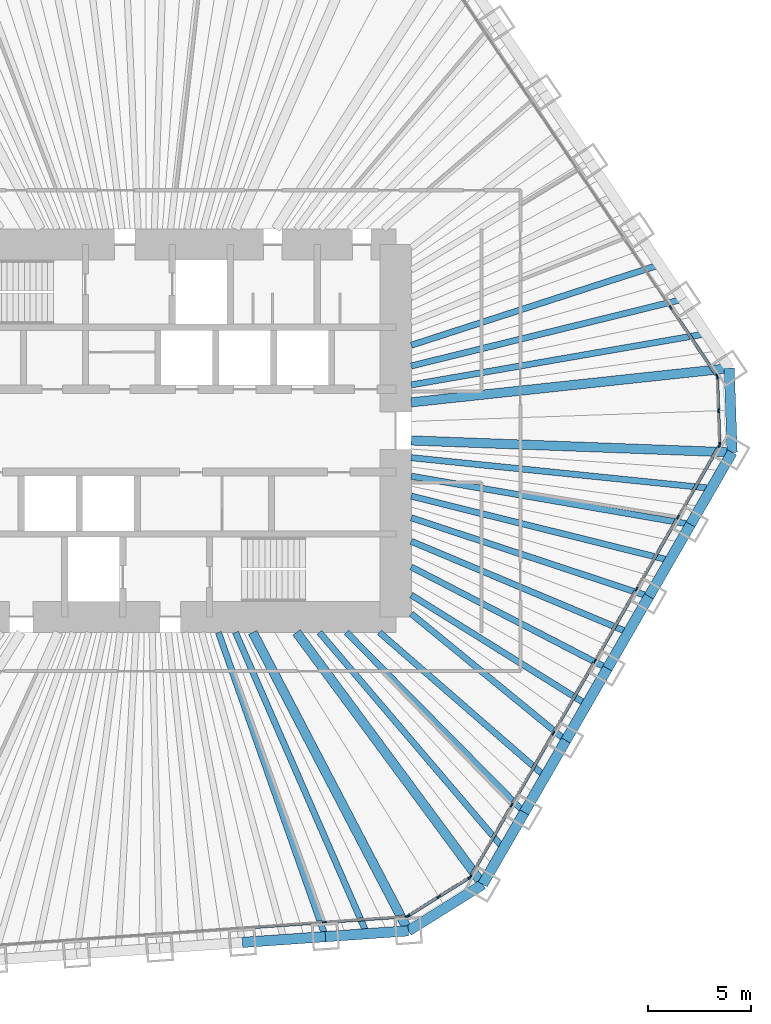
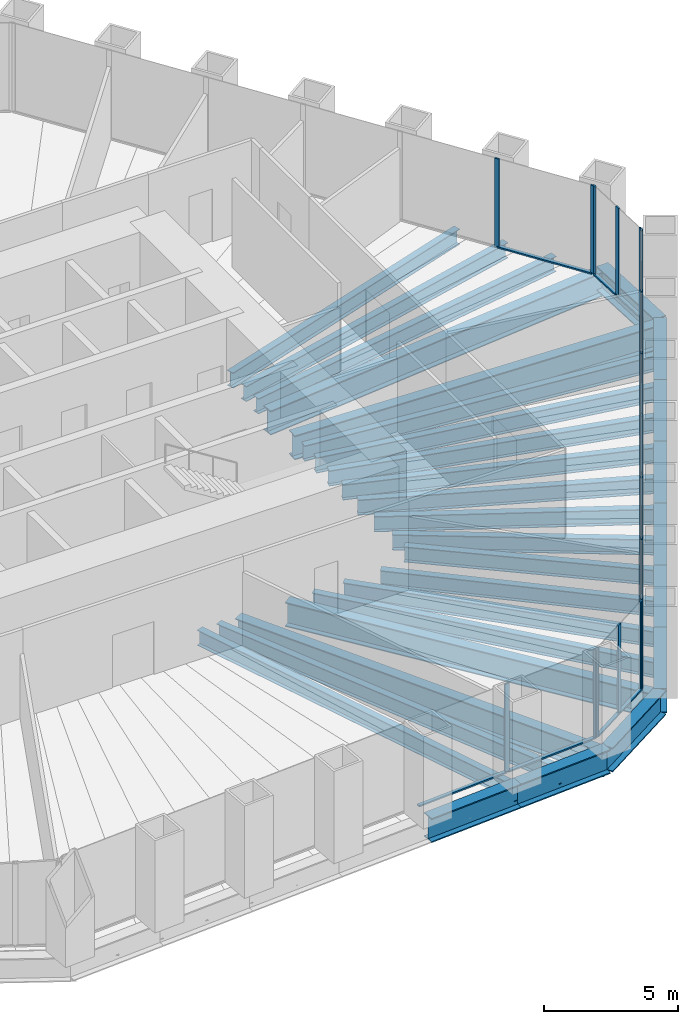
# One storey, part 4 of 13: 30 beams, 30 members, 5 elements without a shape of their own.
"""IFC4 building model written with IfcOpenShell, lengths in metres."""

from ifc_helpers import new_model, si_unit, direction, frame, origin, origin_2d, place, context, subcontext, project, spatial, rectangle, i_section, extrude, material, material_profile, profile_set, type_object, element, aggregate, save


model = new_model("IFC4")

# Units and contexts
model_context = context("Model", 3, precision=1e-05, world=origin(), true_north=direction((0.0, 1.0)))
body_context = subcontext(model_context, "Body", "Model", "MODEL_VIEW")
ifc_project = project(units=[si_unit("LENGTHUNIT", "METRE"), si_unit("AREAUNIT", "SQUARE_METRE"), si_unit("VOLUMEUNIT", "CUBIC_METRE"), si_unit("PLANEANGLEUNIT", "RADIAN"), si_unit("MASSUNIT", "GRAM", prefix="KILO")], contexts=[model_context])

# Site, building, storey
site_placement = place(None, origin())
site = spatial("IfcSite", under=ifc_project, at=site_placement, CompositionType="ELEMENT")
building_placement = place(site_placement, origin())
building = spatial("IfcBuilding", under=site, at=building_placement, Name="Qingtian Harvest Tower", CompositionType="ELEMENT")
storey_placement = place(building_placement, frame((0.0, 0.0, 157.60009765625)))
storey = spatial("IfcBuildingStorey", under=building, at=storey_placement, Name="L33", CompositionType="ELEMENT", Elevation=157.60009765625)

# Beams
ifc_material_1 = material(Name="Steel SM570MC", Category="steel")
ifc_material_profile_1 = material_profile(ifc_material_1, i_section(OverallWidth=0.449951171875, OverallDepth=1.10009765625, WebThickness=0.02197265625, FlangeThickness=0.044921875, at=origin_2d()), Name="H1100x450x22x45")
ifc_profile_set_1 = profile_set([ifc_material_profile_1], Name="Steel SM570MC")
beam_type_1 = type_object("IfcBeamType", Name="Corner floor beam FB8 H1100x450x22x45", PredefinedType="BEAM", material=ifc_profile_set_1)
beam_1_placement = place(storey_placement, frame((28.119384765625, 3.0185546875, -0.72021484375), z_axis=(-0.994287324052, -0.106736672374, 0.0), x_axis=(0.106736672374, -0.994287324052, 0.0)))
element("IfcBeam", 1, at=beam_1_placement, inside=storey, type_object=beam_type_1, Name="Floor beam FB8 NE6", PredefinedType="BEAM", context=body_context, shape_type="SweptSolid", body=[
    extrude(i_section(OverallWidth=0.449951171875, OverallDepth=1.10009765625, WebThickness=0.02197265625, FlangeThickness=0.044921875, at=origin_2d()), origin(), (0.0, 0.0, 1.0), 15.457763671875),
])
beam_2_placement = place(storey_placement, frame((28.261474609375, -1.049560546875, -0.72021484375), z_axis=(-0.999311425285, 0.03710357523, 0.0), x_axis=(-0.03710357523, -0.999311425285, 0.0)))
element("IfcBeam", 2, at=beam_2_placement, inside=storey, type_object=beam_type_1, Name="Floor beam FB8 SE0", PredefinedType="BEAM", context=body_context, shape_type="SweptSolid", body=[
    extrude(i_section(OverallWidth=0.449951171875, OverallDepth=1.10009765625, WebThickness=0.02197265625, FlangeThickness=0.044921875, at=origin_2d()), origin(), (0.0, 0.0, 1.0), 15.522216796875),
])
beam_3_placement = place(storey_placement, frame((16.204345703125, -21.933349609375, -0.72021484375), z_axis=(-0.594215666968, 0.804305751023, 0.0), x_axis=(-0.804305751023, -0.594215666968, 0.0)))
element("IfcBeam", 3, at=beam_3_placement, inside=storey, type_object=beam_type_1, Name="Floor beam FB8 SE6", PredefinedType="BEAM", context=body_context, shape_type="SweptSolid", body=[
    extrude(i_section(OverallWidth=0.449951171875, OverallDepth=1.10009765625, WebThickness=0.02197265625, FlangeThickness=0.044921875, at=origin_2d()), origin(), (0.0, 0.0, 1.0), 15.147705078125),
])
beam_4_placement = place(storey_placement, frame((12.610107421875, -24.17919921875, -0.72021484375), z_axis=(-0.462414751295, 0.886663745613, 0.0), x_axis=(-0.886663745613, -0.462414751295, 0.0)))
element("IfcBeam", 4, at=beam_4_placement, inside=storey, type_object=beam_type_1, Name="Floor beam FB8 S0", PredefinedType="BEAM", context=body_context, shape_type="SweptSolid", body=[
    extrude(i_section(OverallWidth=0.449951171875, OverallDepth=1.10009765625, WebThickness=0.02197265625, FlangeThickness=0.044921875, at=origin_2d()), origin(), (0.0, 0.0, 1.0), 16.273681640625),
])
ifc_material_2 = material(Name="Steel SN490B", Category="steel")
ifc_material_profile_2 = material_profile(ifc_material_2, i_section(OverallWidth=0.300048828125, OverallDepth=0.699951171875, WebThickness=0.012939453125, FlangeThickness=0.02392578125, at=origin_2d()), Name="H700x300x13x24")
ifc_profile_set_2 = profile_set([ifc_material_profile_2], Name="Steel SN490B")
beam_type_2 = type_object("IfcBeamType", Name="Floor beam FB2 H700x300x13x24", PredefinedType="BEAM", material=ifc_profile_set_2)
beam_5_placement = place(storey_placement, frame((25.8720703125, 6.3505859375, -0.52001953125), z_axis=(-0.971170997483, -0.2383839207, 0.0), x_axis=(0.2383839207, -0.971170997483, 0.0)))
element("IfcBeam", 5, at=beam_5_placement, inside=storey, type_object=beam_type_2, Name="Floor beam FB2 NE5", PredefinedType="BEAM", context=body_context, shape_type="SweptSolid", body=[
    extrude(i_section(OverallWidth=0.300048828125, OverallDepth=0.699951171875, WebThickness=0.012939453125, FlangeThickness=0.02392578125, at=origin_2d()), origin(), (0.0, 0.0, 1.0), 13.511474609375),
])
beam_6_placement = place(storey_placement, frame((26.251953125, -4.5302734375, -0.52001953125), z_axis=(-0.985433767107, 0.170059667895, 0.0), x_axis=(-0.170059667895, -0.985433767107, 0.0)))
element("IfcBeam", 6, at=beam_6_placement, inside=storey, type_object=beam_type_2, Name="Floor beam FB2 SE1", PredefinedType="BEAM", context=body_context, shape_type="SweptSolid", body=[
    extrude(i_section(OverallWidth=0.300048828125, OverallDepth=0.699951171875, WebThickness=0.012939453125, FlangeThickness=0.02392578125, at=origin_2d()), origin(), (0.0, 0.0, 1.0), 13.701416015625),
])
beam_7_placement = place(storey_placement, frame((24.242431640625, -8.010986328125, -0.52001953125), z_axis=(-0.949497047328, 0.31377596644, 0.0), x_axis=(-0.31377596644, -0.949497047328, 0.0)))
element("IfcBeam", 7, at=beam_7_placement, inside=storey, type_object=beam_type_2, Name="Floor beam FB2 SE2", PredefinedType="BEAM", context=body_context, shape_type="SweptSolid", body=[
    extrude(i_section(OverallWidth=0.300048828125, OverallDepth=0.699951171875, WebThickness=0.012939453125, FlangeThickness=0.02392578125, at=origin_2d()), origin(), (0.0, 0.0, 1.0), 12.103759765625),
])
beam_8_placement = place(storey_placement, frame((22.23291015625, -11.491455078125, -0.52001953125), z_axis=(-0.888354700773, 0.459157843899, 0.0), x_axis=(-0.459157843899, -0.888354700773, 0.0)))
element("IfcBeam", 8, at=beam_8_placement, inside=storey, type_object=beam_type_2, Name="Floor beam FB2 SE3", PredefinedType="BEAM", context=body_context, shape_type="SweptSolid", body=[
    extrude(i_section(OverallWidth=0.300048828125, OverallDepth=0.699951171875, WebThickness=0.012939453125, FlangeThickness=0.02392578125, at=origin_2d()), origin(), (0.0, 0.0, 1.0), 10.6748046875),
])
beam_9_placement = place(storey_placement, frame((20.223388671875, -14.97216796875, -0.52001953125), z_axis=(-0.773577716445, 0.633701441233, 0.0), x_axis=(-0.633701441233, -0.773577716445, 0.0)))
element("IfcBeam", 9, at=beam_9_placement, inside=storey, type_object=beam_type_2, Name="Floor beam FB2 SE4", PredefinedType="BEAM", context=body_context, shape_type="SweptSolid", body=[
    extrude(i_section(OverallWidth=0.300048828125, OverallDepth=0.699951171875, WebThickness=0.012939453125, FlangeThickness=0.02392578125, at=origin_2d()), origin(), (0.0, 0.0, 1.0), 9.660888671875),
])
beam_10_placement = place(storey_placement, frame((18.2138671875, -18.452880859375, -0.52001953125), z_axis=(-0.702479751847, 0.711703729262, 0.0), x_axis=(-0.711703729262, -0.702479751847, 0.0)))
element("IfcBeam", 10, at=beam_10_placement, inside=storey, type_object=beam_type_2, Name="Floor beam FB2 SE5", PredefinedType="BEAM", context=body_context, shape_type="SweptSolid", body=[
    extrude(i_section(OverallWidth=0.300048828125, OverallDepth=0.699951171875, WebThickness=0.012939453125, FlangeThickness=0.02392578125, at=origin_2d()), origin(), (0.0, 0.0, 1.0), 12.228271484375),
])
beam_11_placement = place(storey_placement, frame((8.600830078125, -24.459716796875, -0.52001953125), z_axis=(-0.331719146802, 0.943378189087, 0.0), x_axis=(-0.943378189087, -0.331719146802, 0.0)))
element("IfcBeam", 11, at=beam_11_placement, inside=storey, type_object=beam_type_2, Name="Floor beam FB2 S1", PredefinedType="BEAM", context=body_context, shape_type="SweptSolid", body=[
    extrude(i_section(OverallWidth=0.300048828125, OverallDepth=0.699951171875, WebThickness=0.012939453125, FlangeThickness=0.02392578125, at=origin_2d()), origin(), (0.0, 0.0, 1.0), 15.592529296875),
])
ifc_material_3 = material(Name="Steel SN490B", Category="steel")
ifc_material_profile_3 = material_profile(ifc_material_3, i_section(OverallWidth=0.300048828125, OverallDepth=0.699951171875, WebThickness=0.012939453125, FlangeThickness=0.02392578125, at=origin_2d()), Name="H700x300x13x24")
ifc_profile_set_3 = profile_set([ifc_material_profile_3], Name="Steel SN490B")
beam_type_3 = type_object("IfcBeamType", Name="Floor joist J2 H700x300x13x24", PredefinedType="JOIST", material=ifc_profile_set_3)
beam_12_placement = place(storey_placement, frame((24.748291015625, 8.016357421875, -0.52001953125), z_axis=(-0.951335907519, -0.308155790249, 0.0), x_axis=(0.308155790249, -0.951335907519, 0.0)))
element("IfcBeam", 12, at=beam_12_placement, inside=storey, type_object=beam_type_3, Name="Floor joist J2 NE4", PredefinedType="JOIST", context=body_context, shape_type="SweptSolid", body=[
    extrude(i_section(OverallWidth=0.300048828125, OverallDepth=0.699951171875, WebThickness=0.012939453125, FlangeThickness=0.02392578125, at=origin_2d()), origin(), (0.0, 0.0, 1.0), 12.612060546875),
])
beam_13_placement = place(storey_placement, frame((26.99560546875, 4.6845703125, -0.52001953125), z_axis=(-0.985273903188, -0.17098343691, 0.0), x_axis=(0.17098343691, -0.985273903188, 0.0)))
element("IfcBeam", 13, at=beam_13_placement, inside=storey, type_object=beam_type_3, Name="Floor joist J2 NE5", PredefinedType="JOIST", context=body_context, shape_type="SweptSolid", body=[
    extrude(i_section(OverallWidth=0.300048828125, OverallDepth=0.699951171875, WebThickness=0.012939453125, FlangeThickness=0.02392578125, at=origin_2d()), origin(), (0.0, 0.0, 1.0), 14.45849609375),
])
beam_14_placement = place(storey_placement, frame((27.2568359375, -2.7900390625, -0.52001953125), z_axis=(-0.994802418411, 0.101824104826, 0.0), x_axis=(-0.101824104826, -0.994802418411, 0.0)))
element("IfcBeam", 14, at=beam_14_placement, inside=storey, type_object=beam_type_3, Name="Floor joist J2 SE0", PredefinedType="JOIST", context=body_context, shape_type="SweptSolid", body=[
    extrude(i_section(OverallWidth=0.300048828125, OverallDepth=0.699951171875, WebThickness=0.012939453125, FlangeThickness=0.02392578125, at=origin_2d()), origin(), (0.0, 0.0, 1.0), 14.58251953125),
])
beam_15_placement = place(storey_placement, frame((25.247314453125, -6.2705078125, -0.52001953125), z_axis=(-0.970517179244, 0.241031958032, 0.0), x_axis=(-0.241031958032, -0.970517179244, 0.0)))
element("IfcBeam", 15, at=beam_15_placement, inside=storey, type_object=beam_type_3, Name="Floor joist J2 SE1", PredefinedType="JOIST", context=body_context, shape_type="SweptSolid", body=[
    extrude(i_section(OverallWidth=0.300048828125, OverallDepth=0.699951171875, WebThickness=0.012939453125, FlangeThickness=0.02392578125, at=origin_2d()), origin(), (0.0, 0.0, 1.0), 12.876953125),
])
beam_16_placement = place(storey_placement, frame((23.237548828125, -9.751220703125, -0.52001953125), z_axis=(-0.922104219626, 0.386941608189, 0.0), x_axis=(-0.386941608189, -0.922104219626, 0.0)))
element("IfcBeam", 16, at=beam_16_placement, inside=storey, type_object=beam_type_3, Name="Floor joist J2 SE2", PredefinedType="JOIST", context=body_context, shape_type="SweptSolid", body=[
    extrude(i_section(OverallWidth=0.300048828125, OverallDepth=0.699951171875, WebThickness=0.012939453125, FlangeThickness=0.02392578125, at=origin_2d()), origin(), (0.0, 0.0, 1.0), 11.37353515625),
])
beam_17_placement = place(storey_placement, frame((21.22802734375, -13.23193359375, -0.52001953125), z_axis=(-0.848631984892, 0.528983699389, 0.0), x_axis=(-0.528983699389, -0.848631984892, 0.0)))
element("IfcBeam", 17, at=beam_17_placement, inside=storey, type_object=beam_type_3, Name="Floor joist J2 SE3", PredefinedType="JOIST", context=body_context, shape_type="SweptSolid", body=[
    extrude(i_section(OverallWidth=0.300048828125, OverallDepth=0.699951171875, WebThickness=0.012939453125, FlangeThickness=0.02392578125, at=origin_2d()), origin(), (0.0, 0.0, 1.0), 9.990234375),
])
beam_18_placement = place(storey_placement, frame((19.218505859375, -16.71240234375, -0.52001953125), z_axis=(-0.754588679317, 0.656198083697, 0.0), x_axis=(-0.656198083697, -0.754588679317, 0.0)))
element("IfcBeam", 18, at=beam_18_placement, inside=storey, type_object=beam_type_3, Name="Floor joist J2 SE4", PredefinedType="JOIST", context=body_context, shape_type="SweptSolid", body=[
    extrude(i_section(OverallWidth=0.300048828125, OverallDepth=0.699951171875, WebThickness=0.012939453125, FlangeThickness=0.02392578125, at=origin_2d()), origin(), (0.0, 0.0, 1.0), 10.610107421875),
])
beam_19_placement = place(storey_placement, frame((17.208984375, -20.193115234375, -0.52001953125), z_axis=(-0.648631797865, 0.76110235238, 0.0), x_axis=(-0.76110235238, -0.648631797865, 0.0)))
element("IfcBeam", 19, at=beam_19_placement, inside=storey, type_object=beam_type_3, Name="Floor joist J2 SE5", PredefinedType="JOIST", context=body_context, shape_type="SweptSolid", body=[
    extrude(i_section(OverallWidth=0.300048828125, OverallDepth=0.699951171875, WebThickness=0.012939453125, FlangeThickness=0.02392578125, at=origin_2d()), origin(), (0.0, 0.0, 1.0), 13.720947265625),
])
beam_20_placement = place(storey_placement, frame((10.60546875, -24.3193359375, -0.52001953125), z_axis=(-0.399732363577, 0.916631898588, 0.0), x_axis=(-0.916631898588, -0.399732363577, 0.0)))
element("IfcBeam", 20, at=beam_20_placement, inside=storey, type_object=beam_type_3, Name="Floor joist J2 S0", PredefinedType="JOIST", context=body_context, shape_type="SweptSolid", body=[
    extrude(i_section(OverallWidth=0.300048828125, OverallDepth=0.699951171875, WebThickness=0.012939453125, FlangeThickness=0.02392578125, at=origin_2d()), origin(), (0.0, 0.0, 1.0), 15.89453125),
])

# Curtain wall, members
ifc_material_4 = material(Name="Bronze-anodised aluminium curtain wall", Category="aluminium")
curtain_wall_type = type_object("IfcCurtainWallType", Name="Curtain wall CW4 office", PredefinedType="USERDEFINED", material=ifc_material_4)
curtain_wall_1_placement = place(storey_placement, origin())
curtain_wall_1 = element("IfcCurtainWall", 21, at=curtain_wall_1_placement, inside=storey, type_object=curtain_wall_type, Name="Curtain wall CW4 L33 NE0-5", ObjectType="RECESSED CURTAIN WALL", PredefinedType="USERDEFINED")
ifc_material_5 = material(Name="Bronze-anodised aluminium mullion", Category="aluminium")
ifc_material_profile_4 = material_profile(ifc_material_5, rectangle(XDim=0.06494140625, YDim=0.199951171875, at=origin_2d()), Name="AL 65x200")
ifc_profile_set_4 = profile_set([ifc_material_profile_4], Name="Bronze-anodised aluminium mullion")
member_type_1 = type_object("IfcMemberType", Name="Mullion CWM 65x200", PredefinedType="MULLION", material=ifc_profile_set_4)
member_1_placement = place(storey_placement, frame((25.291748046875, 5.958984375, 0.0), z_axis=(0.0, 0.0, 1.0), x_axis=(0.829037572555, 0.559192903471, 0.0)))
member_1 = element("IfcMember", 22, at=member_1_placement, type_object=member_type_1, Name="CW4 mullion 6", PredefinedType="MULLION", context=body_context, shape_type="SweptSolid", body=[
    extrude(rectangle(XDim=0.06494140625, YDim=0.199951171875, at=origin_2d()), origin(), (0.0, 0.0, 1.0), 4.02978515625),
])
member_2_placement = place(storey_placement, frame((27.52099609375, 2.654052734375, 0.0), z_axis=(0.0, 0.0, 1.0), x_axis=(0.829037572555, 0.559192903471, 0.0)))
member_2 = element("IfcMember", 23, at=member_2_placement, type_object=member_type_1, Name="CW4 mullion 7", PredefinedType="MULLION", context=body_context, shape_type="SweptSolid", body=[
    extrude(rectangle(XDim=0.06494140625, YDim=0.199951171875, at=origin_2d()), origin(), (0.0, 0.0, 1.0), 4.02978515625),
])

curtain_wall_2_placement = place(storey_placement, origin())
curtain_wall_2 = element("IfcCurtainWall", 24, at=curtain_wall_2_placement, inside=storey, type_object=curtain_wall_type, Name="Curtain wall CW4 L33 NEC", ObjectType="RECESSED CURTAIN WALL", PredefinedType="USERDEFINED")
member_3_placement = place(storey_placement, frame((27.540283203125, 2.594482421875, 0.0), z_axis=(0.0, 0.0, 1.0), x_axis=(0.999390827019, 0.034899496703, 0.0)))
member_3 = element("IfcMember", 25, at=member_3_placement, type_object=member_type_1, Name="CW4 mullion 1", PredefinedType="MULLION", context=body_context, shape_type="SweptSolid", body=[
    extrude(rectangle(XDim=0.06494140625, YDim=0.199951171875, at=origin_2d()), origin(), (0.0, 0.0, 1.0), 4.02978515625),
])
member_4_placement = place(storey_placement, frame((27.59716796875, 0.963623046875, 0.0), z_axis=(0.0, 0.0, 1.0), x_axis=(0.999390827019, 0.034899496703, 0.0)))
member_4 = element("IfcMember", 26, at=member_4_placement, type_object=member_type_1, Name="CW4 mullion 2", PredefinedType="MULLION", context=body_context, shape_type="SweptSolid", body=[
    extrude(rectangle(XDim=0.06494140625, YDim=0.199951171875, at=origin_2d()), origin(), (0.0, 0.0, 1.0), 4.02978515625),
])
member_5_placement = place(storey_placement, frame((27.654052734375, -0.667236328125, 0.0), z_axis=(0.0, 0.0, 1.0), x_axis=(0.999390827019, 0.034899496703, 0.0)))
member_5 = element("IfcMember", 27, at=member_5_placement, type_object=member_type_1, Name="CW4 mullion 3", PredefinedType="MULLION", context=body_context, shape_type="SweptSolid", body=[
    extrude(rectangle(XDim=0.06494140625, YDim=0.199951171875, at=origin_2d()), origin(), (0.0, 0.0, 1.0), 4.02978515625),
])

curtain_wall_3_placement = place(storey_placement, origin())
curtain_wall_3 = element("IfcCurtainWall", 28, at=curtain_wall_3_placement, inside=storey, type_object=curtain_wall_type, Name="Curtain wall CW4 L33 SE0-5", ObjectType="RECESSED CURTAIN WALL", PredefinedType="USERDEFINED")
member_6_placement = place(storey_placement, frame((27.638916015625, -0.727783203125, 0.0), z_axis=(0.0, 0.0, 1.0), x_axis=(0.866025403784, -0.5, 0.0)))
member_6 = element("IfcMember", 29, at=member_6_placement, type_object=member_type_1, Name="CW4 mullion 1", PredefinedType="MULLION", context=body_context, shape_type="SweptSolid", body=[
    extrude(rectangle(XDim=0.06494140625, YDim=0.199951171875, at=origin_2d()), origin(), (0.0, 0.0, 1.0), 4.02978515625),
])
member_7_placement = place(storey_placement, frame((25.645751953125, -4.18017578125, 0.0), z_axis=(0.0, 0.0, 1.0), x_axis=(0.866025403784, -0.5, 0.0)))
member_7 = element("IfcMember", 30, at=member_7_placement, type_object=member_type_1, Name="CW4 mullion 2", PredefinedType="MULLION", context=body_context, shape_type="SweptSolid", body=[
    extrude(rectangle(XDim=0.06494140625, YDim=0.199951171875, at=origin_2d()), origin(), (0.0, 0.0, 1.0), 4.02978515625),
])
member_8_placement = place(storey_placement, frame((23.63623046875, -7.660888671875, 0.0), z_axis=(0.0, 0.0, 1.0), x_axis=(0.866025403784, -0.5, 0.0)))
member_8 = element("IfcMember", 31, at=member_8_placement, type_object=member_type_1, Name="CW4 mullion 3", PredefinedType="MULLION", context=body_context, shape_type="SweptSolid", body=[
    extrude(rectangle(XDim=0.06494140625, YDim=0.199951171875, at=origin_2d()), origin(), (0.0, 0.0, 1.0), 4.02978515625),
])
member_9_placement = place(storey_placement, frame((21.626708984375, -11.1416015625, 0.0), z_axis=(0.0, 0.0, 1.0), x_axis=(0.866025403784, -0.5, 0.0)))
member_9 = element("IfcMember", 32, at=member_9_placement, type_object=member_type_1, Name="CW4 mullion 4", PredefinedType="MULLION", context=body_context, shape_type="SweptSolid", body=[
    extrude(rectangle(XDim=0.06494140625, YDim=0.199951171875, at=origin_2d()), origin(), (0.0, 0.0, 1.0), 4.02978515625),
])
member_10_placement = place(storey_placement, frame((19.6171875, -14.6220703125, 0.0), z_axis=(0.0, 0.0, 1.0), x_axis=(0.866025403784, -0.5, 0.0)))
member_10 = element("IfcMember", 33, at=member_10_placement, type_object=member_type_1, Name="CW4 mullion 5", PredefinedType="MULLION", context=body_context, shape_type="SweptSolid", body=[
    extrude(rectangle(XDim=0.06494140625, YDim=0.199951171875, at=origin_2d()), origin(), (0.0, 0.0, 1.0), 4.02978515625),
])
member_11_placement = place(storey_placement, frame((17.607666015625, -18.102783203125, 0.0), z_axis=(0.0, 0.0, 1.0), x_axis=(0.866025403784, -0.5, 0.0)))
member_11 = element("IfcMember", 34, at=member_11_placement, type_object=member_type_1, Name="CW4 mullion 6", PredefinedType="MULLION", context=body_context, shape_type="SweptSolid", body=[
    extrude(rectangle(XDim=0.06494140625, YDim=0.199951171875, at=origin_2d()), origin(), (0.0, 0.0, 1.0), 4.02978515625),
])
member_12_placement = place(storey_placement, frame((15.6142578125, -21.55517578125, 0.0), z_axis=(0.0, 0.0, 1.0), x_axis=(0.866025403784, -0.5, 0.0)))
member_12 = element("IfcMember", 35, at=member_12_placement, type_object=member_type_1, Name="CW4 mullion 7", PredefinedType="MULLION", context=body_context, shape_type="SweptSolid", body=[
    extrude(rectangle(XDim=0.06494140625, YDim=0.199951171875, at=origin_2d()), origin(), (0.0, 0.0, 1.0), 4.02978515625),
])

curtain_wall_4_placement = place(storey_placement, origin())
curtain_wall_4 = element("IfcCurtainWall", 36, at=curtain_wall_4_placement, inside=storey, type_object=curtain_wall_type, Name="Curtain wall CW4 L33 SEC", ObjectType="RECESSED CURTAIN WALL", PredefinedType="USERDEFINED")
member_13_placement = place(storey_placement, frame((15.570556640625, -21.6005859375, 0.0), z_axis=(0.0, 0.0, 1.0), x_axis=(0.529919264233, -0.848048096156, 0.0)))
member_13 = element("IfcMember", 37, at=member_13_placement, type_object=member_type_1, Name="CW4 mullion 1", PredefinedType="MULLION", context=body_context, shape_type="SweptSolid", body=[
    extrude(rectangle(XDim=0.06494140625, YDim=0.199951171875, at=origin_2d()), origin(), (0.0, 0.0, 1.0), 4.02978515625),
])
member_14_placement = place(storey_placement, frame((14.07958984375, -22.5322265625, 0.0), z_axis=(0.0, 0.0, 1.0), x_axis=(0.529919264233, -0.848048096156, 0.0)))
member_14 = element("IfcMember", 38, at=member_14_placement, type_object=member_type_1, Name="CW4 mullion 2", PredefinedType="MULLION", context=body_context, shape_type="SweptSolid", body=[
    extrude(rectangle(XDim=0.06494140625, YDim=0.199951171875, at=origin_2d()), origin(), (0.0, 0.0, 1.0), 4.02978515625),
])
member_15_placement = place(storey_placement, frame((12.5888671875, -23.4638671875, 0.0), z_axis=(0.0, 0.0, 1.0), x_axis=(0.529919264233, -0.848048096156, 0.0)))
member_15 = element("IfcMember", 39, at=member_15_placement, type_object=member_type_1, Name="CW4 mullion 3", PredefinedType="MULLION", context=body_context, shape_type="SweptSolid", body=[
    extrude(rectangle(XDim=0.06494140625, YDim=0.199951171875, at=origin_2d()), origin(), (0.0, 0.0, 1.0), 4.02978515625),
])

curtain_wall_5_placement = place(storey_placement, origin())
curtain_wall_5 = element("IfcCurtainWall", 40, at=curtain_wall_5_placement, inside=storey, type_object=curtain_wall_type, Name="Curtain wall CW4 L33 S0-5", ObjectType="RECESSED CURTAIN WALL", PredefinedType="USERDEFINED")
member_16_placement = place(storey_placement, frame((12.52880859375, -23.483154296875, 0.0), z_axis=(0.0, 0.0, 1.0), x_axis=(0.069756473744, -0.99756405026, 0.0)))
member_16 = element("IfcMember", 41, at=member_16_placement, type_object=member_type_1, Name="CW4 mullion 1", PredefinedType="MULLION", context=body_context, shape_type="SweptSolid", body=[
    extrude(rectangle(XDim=0.06494140625, YDim=0.199951171875, at=origin_2d()), origin(), (0.0, 0.0, 1.0), 4.02978515625),
])
member_17_placement = place(storey_placement, frame((8.552001953125, -23.76123046875, 0.0), z_axis=(0.0, 0.0, 1.0), x_axis=(0.069756473744, -0.99756405026, 0.0)))
member_17 = element("IfcMember", 42, at=member_17_placement, type_object=member_type_1, Name="CW4 mullion 2", PredefinedType="MULLION", context=body_context, shape_type="SweptSolid", body=[
    extrude(rectangle(XDim=0.06494140625, YDim=0.199951171875, at=origin_2d()), origin(), (0.0, 0.0, 1.0), 4.02978515625),
])

# Beams
ifc_material_6 = material(Name="Steel SM570MC", Category="steel")
ifc_material_profile_5 = material_profile(ifc_material_6, i_section(OverallWidth=0.5, OverallDepth=1.10009765625, WebThickness=0.02490234375, FlangeThickness=0.050048828125, at=origin_2d()), Name="H1100x500x25x50")
ifc_profile_set_5 = profile_set([ifc_material_profile_5], Name="Steel SM570MC")
beam_type_4 = type_object("IfcBeamType", Name="Spandrel beam SB2 H1100x500x25x50", PredefinedType="SPANDREL", material=ifc_profile_set_5)
beam_21_placement = place(storey_placement, frame((28.119384765625, 3.0185546875, -0.550048828125), z_axis=(0.03490639867, -0.999390585973, 0.0), x_axis=(0.999390585973, 0.03490639867, 0.0)))
element("IfcBeam", 43, at=beam_21_placement, inside=storey, type_object=beam_type_4, Name="Spandrel SB2 NEC", PredefinedType="SPANDREL", context=body_context, shape_type="SweptSolid", body=[
    extrude(i_section(OverallWidth=0.5, OverallDepth=1.10009765625, WebThickness=0.02490234375, FlangeThickness=0.050048828125, at=origin_2d()), origin(), (0.0, 0.0, 1.0), 4.070556640625),
])
for number, where, z_axis, x_axis, name in (
    (44, (28.261474609375, -1.049560546875, -0.550048828125), (-0.499987116613, -0.866032841884, 0.0), (0.866032841884, -0.499987116613, 0.0), "Spandrel SB2 SE0"),
    (45, (26.251953125, -4.5302734375, -0.550048828125), (-0.499987116613, -0.866032841884, 0.0), (0.866032841884, -0.499987116613, 0.0), "Spandrel SB2 SE1"),
    (46, (24.242431640625, -8.010986328125, -0.550048828125), (-0.500013420409, -0.866017655369, 0.0), (0.866017655369, -0.500013420409, 0.0), "Spandrel SB2 SE2"),
    (47, (22.23291015625, -11.491455078125, -0.550048828125), (-0.499987116613, -0.866032841884, 0.0), (0.866032841884, -0.499987116613, 0.0), "Spandrel SB2 SE3"),
    (48, (20.223388671875, -14.97216796875, -0.550048828125), (-0.499987116613, -0.866032841884, 0.0), (0.866032841884, -0.499987116613, 0.0), "Spandrel SB2 SE4"),
    (49, (18.2138671875, -18.452880859375, -0.550048828125), (-0.500013420409, -0.866017655369, 0.0), (0.866017655369, -0.500013420409, 0.0), "Spandrel SB2 SE5"),
):
    element("IfcBeam", number, at=place(storey_placement, frame(where, z_axis=z_axis, x_axis=x_axis)), inside=storey, type_object=beam_type_4, Name=name, PredefinedType="SPANDREL", context=body_context, shape_type="SweptSolid", body=[
        extrude(i_section(OverallWidth=0.5, OverallDepth=1.10009765625, WebThickness=0.02490234375, FlangeThickness=0.050048828125, at=origin_2d()), origin(), (0.0, 0.0, 1.0), 4.01904296875),
    ])
beam_22_placement = place(storey_placement, frame((16.204345703125, -21.933349609375, -0.550048828125), z_axis=(-0.848056550838, -0.529905733675, 0.0), x_axis=(0.529905733675, -0.848056550838, 0.0)))
element("IfcBeam", 50, at=beam_22_placement, inside=storey, type_object=beam_type_4, Name="Spandrel SB2 SEC", PredefinedType="SPANDREL", context=body_context, shape_type="SweptSolid", body=[
    extrude(i_section(OverallWidth=0.5, OverallDepth=1.10009765625, WebThickness=0.02490234375, FlangeThickness=0.050048828125, at=origin_2d()), origin(), (0.0, 0.0, 1.0), 4.23828125),
])
for number, where, z_axis, x_axis, name in (
    (51, (12.610107421875, -24.17919921875, -0.550048828125), (-0.997561251588, -0.069796485086, 0.0), (0.069796485086, -0.997561251588, 0.0), "Spandrel SB2 S0"),
    (52, (8.600830078125, -24.459716796875, -0.550048828125), (-0.997565479251, -0.069736035208, 0.0), (0.069736035208, -0.997565479251, 0.0), "Spandrel SB2 S1"),
):
    element("IfcBeam", number, at=place(storey_placement, frame(where, z_axis=z_axis, x_axis=x_axis)), inside=storey, type_object=beam_type_4, Name=name, PredefinedType="SPANDREL", context=body_context, shape_type="SweptSolid", body=[
        extrude(i_section(OverallWidth=0.5, OverallDepth=1.10009765625, WebThickness=0.02490234375, FlangeThickness=0.050048828125, at=origin_2d()), origin(), (0.0, 0.0, 1.0), 4.01904296875),
    ])

# Member
ifc_material_7 = material(Name="Bronze-anodised aluminium transom", Category="aluminium")
ifc_material_profile_6 = material_profile(ifc_material_7, rectangle(XDim=0.14990234375, YDim=0.06494140625, at=origin_2d()), Name="AL 65x150")
ifc_profile_set_6 = profile_set([ifc_material_profile_6], Name="Bronze-anodised aluminium transom")
member_type_2 = type_object("IfcMemberType", Name="Transom CWT 65x150", PredefinedType="USERDEFINED", material=ifc_profile_set_6)
member_18_placement = place(storey_placement, frame((25.309814453125, 5.93212890625, 0.032470703125), z_axis=(0.559174507936, -0.829049980203, 0.0), x_axis=(0.829049980203, 0.559174507936, 0.0)))
member_18 = element("IfcMember", 53, at=member_18_placement, type_object=member_type_2, Name="CW4 transom 6.1", ObjectType="TRANSOM", PredefinedType="USERDEFINED", context=body_context, shape_type="SweptSolid", body=[
    extrude(rectangle(XDim=0.14990234375, YDim=0.06494140625, at=origin_2d()), origin(), (0.0, 0.0, 1.0), 3.921630859375),
])

aggregate(curtain_wall_1, [member_1, member_2, member_18])

member_19_placement = place(storey_placement, frame((27.541259765625, 2.56201171875, 0.032470703125), z_axis=(0.034902326647, -0.999390728191, 0.0), x_axis=(0.999390728191, 0.034902326647, 0.0)))
member_19 = element("IfcMember", 54, at=member_19_placement, type_object=member_type_2, Name="CW4 transom 1.1", ObjectType="TRANSOM", PredefinedType="USERDEFINED", context=body_context, shape_type="SweptSolid", body=[
    extrude(rectangle(XDim=0.14990234375, YDim=0.06494140625, at=origin_2d()), origin(), (0.0, 0.0, 1.0), 1.56689453125),
])

member_20_placement = place(storey_placement, frame((27.598388671875, 0.93115234375, 0.032470703125), z_axis=(0.034902326647, -0.999390728191, 0.0), x_axis=(0.999390728191, 0.034902326647, 0.0)))
member_20 = element("IfcMember", 55, at=member_20_placement, type_object=member_type_2, Name="CW4 transom 2.1", ObjectType="TRANSOM", PredefinedType="USERDEFINED", context=body_context, shape_type="SweptSolid", body=[
    extrude(rectangle(XDim=0.14990234375, YDim=0.06494140625, at=origin_2d()), origin(), (0.0, 0.0, 1.0), 1.56689453125),
])

aggregate(curtain_wall_2, [member_3, member_4, member_5, member_19, member_20])

member_21_placement = place(storey_placement, frame((27.622802734375, -0.755859375, 0.032470703125), z_axis=(-0.499975738995, -0.866039410429, 0.0), x_axis=(0.866039410429, -0.499975738995, 0.0)))
member_21 = element("IfcMember", 56, at=member_21_placement, type_object=member_type_2, Name="CW4 transom 1.1", ObjectType="TRANSOM", PredefinedType="USERDEFINED", context=body_context, shape_type="SweptSolid", body=[
    extrude(rectangle(XDim=0.14990234375, YDim=0.06494140625, at=origin_2d()), origin(), (0.0, 0.0, 1.0), 3.921630859375),
])

member_22_placement = place(storey_placement, frame((25.62939453125, -4.20849609375, 0.032470703125), z_axis=(-0.500003941941, -0.866023127892, 0.0), x_axis=(0.866023127892, -0.500003941941, 0.0)))
member_22 = element("IfcMember", 57, at=member_22_placement, type_object=member_type_2, Name="CW4 transom 2.1", ObjectType="TRANSOM", PredefinedType="USERDEFINED", context=body_context, shape_type="SweptSolid", body=[
    extrude(rectangle(XDim=0.14990234375, YDim=0.06494140625, at=origin_2d()), origin(), (0.0, 0.0, 1.0), 3.9541015625),
])

member_23_placement = place(storey_placement, frame((23.619873046875, -7.68896484375, 0.032470703125), z_axis=(-0.500003941941, -0.866023127892, 0.0), x_axis=(0.866023127892, -0.500003941941, 0.0)))
member_23 = element("IfcMember", 58, at=member_23_placement, type_object=member_type_2, Name="CW4 transom 3.1", ObjectType="TRANSOM", PredefinedType="USERDEFINED", context=body_context, shape_type="SweptSolid", body=[
    extrude(rectangle(XDim=0.14990234375, YDim=0.06494140625, at=origin_2d()), origin(), (0.0, 0.0, 1.0), 3.9541015625),
])

member_24_placement = place(storey_placement, frame((21.6103515625, -11.169677734375, 0.032470703125), z_axis=(-0.500003941941, -0.866023127892, 0.0), x_axis=(0.866023127892, -0.500003941941, 0.0)))
member_24 = element("IfcMember", 59, at=member_24_placement, type_object=member_type_2, Name="CW4 transom 4.1", ObjectType="TRANSOM", PredefinedType="USERDEFINED", context=body_context, shape_type="SweptSolid", body=[
    extrude(rectangle(XDim=0.14990234375, YDim=0.06494140625, at=origin_2d()), origin(), (0.0, 0.0, 1.0), 3.9541015625),
])

member_25_placement = place(storey_placement, frame((19.600830078125, -14.650390625, 0.032470703125), z_axis=(-0.500003941941, -0.866023127892, 0.0), x_axis=(0.866023127892, -0.500003941941, 0.0)))
member_25 = element("IfcMember", 60, at=member_25_placement, type_object=member_type_2, Name="CW4 transom 5.1", ObjectType="TRANSOM", PredefinedType="USERDEFINED", context=body_context, shape_type="SweptSolid", body=[
    extrude(rectangle(XDim=0.14990234375, YDim=0.06494140625, at=origin_2d()), origin(), (0.0, 0.0, 1.0), 3.9541015625),
])

member_26_placement = place(storey_placement, frame((17.59130859375, -18.130859375, 0.032470703125), z_axis=(-0.499975738995, -0.866039410429, 0.0), x_axis=(0.866039410429, -0.499975738995, 0.0)))
member_26 = element("IfcMember", 61, at=member_26_placement, type_object=member_type_2, Name="CW4 transom 6.1", ObjectType="TRANSOM", PredefinedType="USERDEFINED", context=body_context, shape_type="SweptSolid", body=[
    extrude(rectangle(XDim=0.14990234375, YDim=0.06494140625, at=origin_2d()), origin(), (0.0, 0.0, 1.0), 3.921630859375),
])

aggregate(curtain_wall_3, [member_6, member_7, member_8, member_9, member_10, member_11, member_12, member_21, member_22, member_23, member_24, member_25, member_26])

member_27_placement = place(storey_placement, frame((15.54296875, -21.617919921875, 0.032470703125), z_axis=(-0.848103609743, -0.529830413568, 0.0), x_axis=(0.529830413568, -0.848103609743, 0.0)))
member_27 = element("IfcMember", 62, at=member_27_placement, type_object=member_type_2, Name="CW4 transom 1.1", ObjectType="TRANSOM", PredefinedType="USERDEFINED", context=body_context, shape_type="SweptSolid", body=[
    extrude(rectangle(XDim=0.14990234375, YDim=0.06494140625, at=origin_2d()), origin(), (0.0, 0.0, 1.0), 1.69287109375),
])

member_28_placement = place(storey_placement, frame((14.052001953125, -22.54931640625, 0.032470703125), z_axis=(-0.847998304005, -0.529998940003, 0.0), x_axis=(0.529998940003, -0.847998304005, 0.0)))
member_28 = element("IfcMember", 63, at=member_28_placement, type_object=member_type_2, Name="CW4 transom 2.1", ObjectType="TRANSOM", PredefinedType="USERDEFINED", context=body_context, shape_type="SweptSolid", body=[
    extrude(rectangle(XDim=0.14990234375, YDim=0.06494140625, at=origin_2d()), origin(), (0.0, 0.0, 1.0), 1.69287109375),
])

aggregate(curtain_wall_4, [member_13, member_14, member_15, member_27, member_28])

member_29_placement = place(storey_placement, frame((12.496337890625, -23.485595703125, 0.032470703125), z_axis=(-0.99756594446, -0.069729380128, 0.0), x_axis=(0.069729380128, -0.99756594446, 0.0)))
member_29 = element("IfcMember", 64, at=member_29_placement, type_object=member_type_2, Name="CW4 transom 1.1", ObjectType="TRANSOM", PredefinedType="USERDEFINED", context=body_context, shape_type="SweptSolid", body=[
    extrude(rectangle(XDim=0.14990234375, YDim=0.06494140625, at=origin_2d()), origin(), (0.0, 0.0, 1.0), 3.92138671875),
])

member_30_placement = place(storey_placement, frame((8.51953125, -23.763671875, 0.032470703125), z_axis=(-0.997567218353, -0.069711153102, 0.0), x_axis=(0.069711153102, -0.997567218353, 0.0)))
member_30 = element("IfcMember", 65, at=member_30_placement, type_object=member_type_2, Name="CW4 transom 2.1", ObjectType="TRANSOM", PredefinedType="USERDEFINED", context=body_context, shape_type="SweptSolid", body=[
    extrude(rectangle(XDim=0.14990234375, YDim=0.06494140625, at=origin_2d()), origin(), (0.0, 0.0, 1.0), 3.953857421875),
])

aggregate(curtain_wall_5, [member_16, member_17, member_29, member_30])

save(model, "model.ifc")
